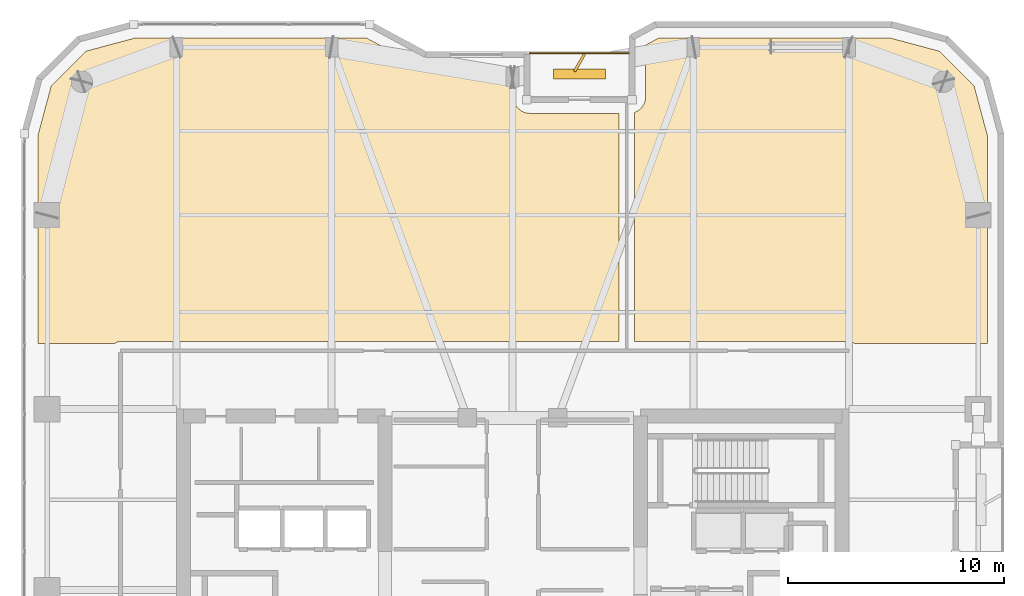
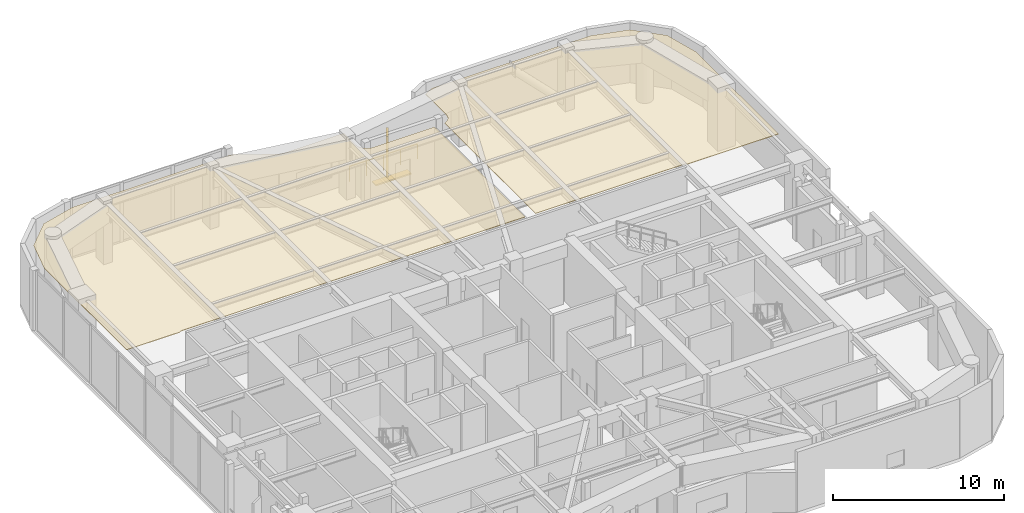
# One storey, part 17 of 18: 2 coverings, 2 shading devices, 1 railing.
"""IFC4 building model written with IfcOpenShell, lengths in metres."""

from ifc_helpers import new_model, si_unit, direction, frame, origin, origin_2d, place, context, subcontext, project, spatial, polyline, rectangle, outline, extrude, material, layer, layer_set, type_object, element, save


model = new_model("IFC4")

# Units and contexts
model_context = context("Model", 3, precision=1e-05, world=origin(), true_north=direction((0.0, 1.0)))
body_context = subcontext(model_context, "Body", "Model", "MODEL_VIEW")
ifc_project = project(units=[si_unit("LENGTHUNIT", "METRE"), si_unit("AREAUNIT", "SQUARE_METRE"), si_unit("VOLUMEUNIT", "CUBIC_METRE"), si_unit("PLANEANGLEUNIT", "RADIAN"), si_unit("MASSUNIT", "GRAM", prefix="KILO")], contexts=[model_context])

# Site, building, storey
site_placement = place(None, origin())
site = spatial("IfcSite", under=ifc_project, at=site_placement, CompositionType="ELEMENT")
building_placement = place(site_placement, origin())
building = spatial("IfcBuilding", under=site, at=building_placement, Name="Kiyonajd Concourse Tower", CompositionType="ELEMENT")
storey_placement = place(building_placement, frame((0.0, 0.0, 214.800048828125)))
storey = spatial("IfcBuildingStorey", under=building, at=storey_placement, Name="L54", CompositionType="ELEMENT", Elevation=214.800048828125)

# Coverings
ifc_material_1 = material(Name="Natural Oak Acoustic Timber Veneer", Category="wood")
ifc_layer = layer(ifc_material_1, 0.0400390625)
ifc_layer_set = layer_set([ifc_layer], Name="Natural Oak Acoustic Timber Veneer")
covering_type = type_object("IfcCoveringType", Name="CV-CLG-ACST", PredefinedType="CEILING", material=ifc_layer_set)
covering_1_placement = place(storey_placement, frame((0.0, 0.0, 4.099853515625)))
element("IfcCovering", 1, at=covering_1_placement, inside=storey, type_object=covering_type, Name="L54-44 Room Acoustic Ceiling", PredefinedType="CEILING", context=body_context, shape_type="SweptSolid", body=[
    extrude(outline(polyline([(28.197998046875, 61.011962890625), (30.5009765625, 61.6298828125), (41.2060546875, 61.6298828125), (43.635009765625, 60.322021484375), (43.719970703125, 60.282958984375), (43.8349609375, 60.248046875), (44.0, 60.22998046875), (48.030029296875, 60.22998046875), (48.031982421875, 58.85888671875), (48.05810546875, 58.693115234375), (48.096923828125, 58.5859375), (48.137939453125, 58.509033203125), (48.197998046875, 58.419921875), (48.26806640625, 58.343017578125), (48.39990234375, 58.242919921875), (48.49609375, 58.19189453125), (48.593017578125, 58.157958984375), (48.657958984375, 58.14306640625), (48.800048828125, 58.1298828125), (52.93994140625, 58.1298828125), (52.93994140625, 47.5400390625), (29.800048828125, 47.5400390625), (29.669921875, 47.52001953125), (29.60693359375, 47.493896484375), (29.552001953125, 47.4599609375), (25.969970703125, 47.4599609375), (25.969970703125, 57.09912109375), (26.587890625, 59.402099609375), (28.197998046875, 61.011962890625)])), origin(), (0.0, 0.0, 1.0), 0.0400390625),
])
covering_2_placement = place(storey_placement, frame((0.0, 0.0, 4.099853515625)))
element("IfcCovering", 2, at=covering_2_placement, inside=storey, type_object=covering_type, Name="L54-45 Room Acoustic Ceiling", PredefinedType="CEILING", context=body_context, shape_type="SweptSolid", body=[
    extrude(outline(polyline([(53.659912109375, 58.176025390625), (53.72802734375, 58.2041015625), (53.839111328125, 58.26806640625), (53.90087890625, 58.31494140625), (53.985107421875, 58.39892578125), (54.056884765625, 58.5), (54.10791015625, 58.595947265625), (54.14208984375, 58.693115234375), (54.157958984375, 58.76708984375), (54.16796875, 58.85888671875), (54.169921875, 61.2939453125), (54.7939453125, 61.6298828125), (65.4990234375, 61.6298828125), (67.802001953125, 61.011962890625), (69.412109375, 59.402099609375), (70.030029296875, 57.09912109375), (70.030029296875, 47.4599609375), (63.847900390625, 47.4599609375), (63.79296875, 47.493896484375), (63.72998046875, 47.52001953125), (63.60009765625, 47.5400390625), (53.659912109375, 47.5400390625), (53.659912109375, 58.176025390625)])), origin(), (0.0, 0.0, 1.0), 0.0400390625),
])

# Railing
ifc_material_2 = material(Name="Thermally Broken Anodised Aluminium", Category="aluminium")
railing_type = type_object("IfcRailingType", Name="RL-GRD-LOG", PredefinedType="GUARDRAIL", material=ifc_material_2)
railing_placement = place(storey_placement, frame((53.39990234375, 60.919921875, 0.0)))
element("IfcRailing", 3, at=railing_placement, inside=storey, type_object=railing_type, Name="L54 Engawa Loggia Perimeter Guard LOG-N", PredefinedType="GUARDRAIL", context=body_context, shape_type="SweptSolid", body=[
    extrude(rectangle(XDim=0.048095703125, YDim=0.048095703125, at=origin_2d()), frame((0.0, 0.0, 1.076171875), z_axis=(-1.0, 0.0, 0.0), x_axis=(0.0, -1.0, 0.0)), (0.0, 0.0, 1.0), 4.599853515625),
    extrude(rectangle(XDim=0.0419921875, YDim=0.0419921875, at=origin_2d()), origin(), (0.0, 0.0, 1.0), 1.052001953125),
    extrude(rectangle(XDim=0.0419921875, YDim=0.0419921875, at=origin_2d()), frame((-1.14990234375, 0.0, 0.0)), (0.0, 0.0, 1.0), 1.052001953125),
    extrude(rectangle(XDim=0.0419921875, YDim=0.0419921875, at=origin_2d()), frame((-2.2998046875, 0.0, 0.0)), (0.0, 0.0, 1.0), 1.052001953125),
    extrude(rectangle(XDim=0.0419921875, YDim=0.0419921875, at=origin_2d()), frame((-3.449951171875, 0.0, 0.0)), (0.0, 0.0, 1.0), 1.052001953125),
    extrude(rectangle(XDim=0.0419921875, YDim=0.0419921875, at=origin_2d()), frame((-4.599853515625, 0.0, 0.0)), (0.0, 0.0, 1.0), 1.052001953125),
])

# Shading devices
ifc_material_3 = material(Name="Precast concrete C50/60", Category="concrete")
shading_device_type_1 = type_object("IfcShadingDeviceType", Name="SH-FIN-900", PredefinedType="USERDEFINED", material=ifc_material_3)
shading_device_1_placement = place(storey_placement, frame((51.10009765625, 60.469970703125, 0.0), z_axis=(0.0, 0.0, 1.0), x_axis=(0.5, 0.866025403784, 0.0)))
element("IfcShadingDevice", 4, at=shading_device_1_placement, inside=storey, type_object=shading_device_type_1, Name="L54 Angled Koshi Solar Fin LOG-N", ObjectType="FIN", PredefinedType="USERDEFINED", context=body_context, shape_type="SweptSolid", body=[
    extrude(rectangle(XDim=0.89990234375, YDim=0.1201171875, at=origin_2d()), origin(), (0.0, 0.0, 1.0), 3.0),
])
shading_device_type_2 = type_object("IfcShadingDeviceType", Name="SH-LVR-600", PredefinedType="JALOUSIE", material=ifc_material_2)
shading_device_2_placement = place(storey_placement, frame((51.10009765625, 59.949951171875, 0.0), z_axis=(0.0, 0.0, 1.0), x_axis=(1.0, 0.0, 0.0)))
element("IfcShadingDevice", 5, at=shading_device_2_placement, inside=storey, type_object=shading_device_type_2, Name="L54 Loggia Threshold Louver LOG-N", PredefinedType="JALOUSIE", context=body_context, shape_type="SweptSolid", body=[
    extrude(rectangle(XDim=2.39990234375, YDim=0.449951171875, at=origin_2d()), origin(), (0.0, 0.0, 1.0), 0.10009765625),
])

save(model, "model.ifc")
